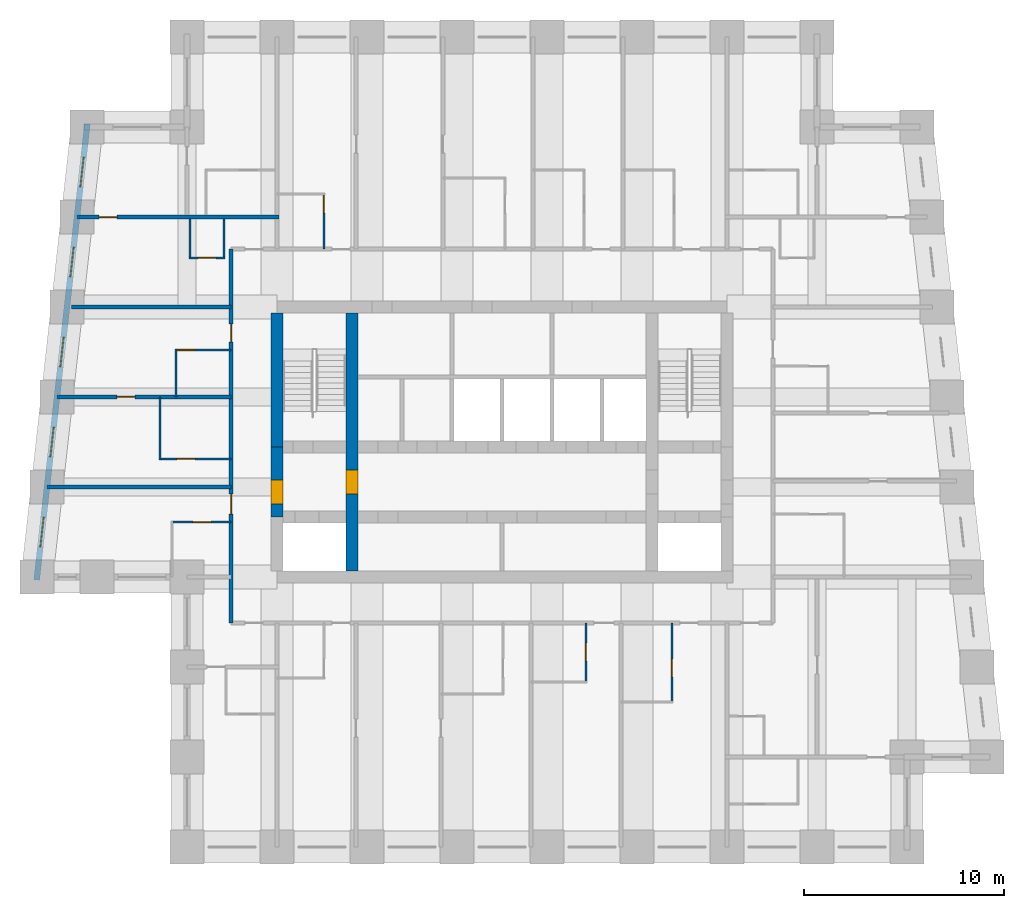
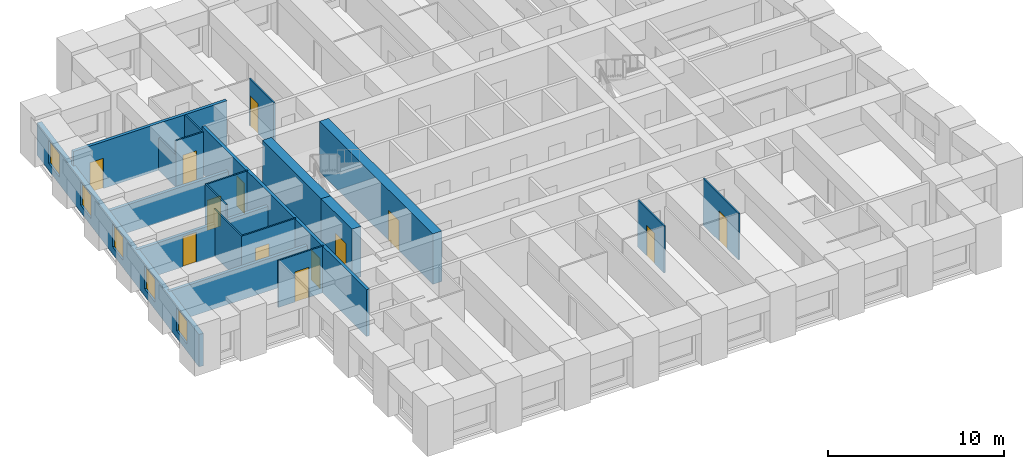
# One storey, part 3 of 8: 20 walls, 13 doors, 5 windows, 18 openings.
"""IFC4 building model written with IfcOpenShell, lengths in metres."""

from ifc_helpers import new_model, si_unit, direction, frame, frame_2d, origin, place, context, subcontext, project, spatial, rectangle, extrude, material, layer, layer_set, type_object, element, fill, save


model = new_model("IFC4")

# Units and contexts
model_context = context("Model", 3, precision=1e-05, world=origin(), true_north=direction((0.0, 1.0)))
body_context = subcontext(model_context, "Body", "Model", "MODEL_VIEW")
ifc_project = project(units=[si_unit("LENGTHUNIT", "METRE"), si_unit("AREAUNIT", "SQUARE_METRE"), si_unit("VOLUMEUNIT", "CUBIC_METRE"), si_unit("PLANEANGLEUNIT", "RADIAN"), si_unit("MASSUNIT", "GRAM", prefix="KILO")], contexts=[model_context])

# Site, building, storey
site_placement = place(None, origin())
site = spatial("IfcSite", under=ifc_project, at=site_placement, CompositionType="ELEMENT")
building_placement = place(site_placement, origin())
building = spatial("IfcBuilding", under=site, at=building_placement, Name="Kilele Tower Hotel", CompositionType="ELEMENT")
storey_placement = place(building_placement, frame((0.0, 0.0, 176.39990234375)))
storey = spatial("IfcBuildingStorey", under=building, at=storey_placement, Name="L45", CompositionType="ELEMENT", Elevation=176.39990234375)

# Wall, opening, door
ifc_material_1 = material(Name="Moisture-resistant board")
ifc_layer_1 = layer(ifc_material_1, 0.10009765625)
ifc_layer_set_1 = layer_set([ifc_layer_1], Name="Moisture-resistant board")
wall_type_1 = type_object("IfcWallType", Name="Bathroom partition 100", PredefinedType="PLUMBINGWALL", material=ifc_layer_set_1)
wall_1_placement = place(storey_placement, frame((28.949951171875, 11.199951171875, 0.0), z_axis=(0.0, 0.0, 1.0), x_axis=(0.0, -1.0, 0.0)))
wall_1 = element("IfcWall", 1, at=wall_1_placement, inside=storey, type_object=wall_type_1, Name="Bathroom partition 100 L45", PredefinedType="PLUMBINGWALL", context=body_context, shape_type="SweptSolid", body=[
    extrude(rectangle(XDim=3.0, YDim=0.10009765625, at=frame_2d((1.5, 0.0))), origin(), (0.0, 0.0, 1.0), 3.25),
])
opening_1_placement = place(wall_1_placement, frame((1.0, 0.0, 0.0)))
opening_1 = element("IfcOpeningElement", 2, at=opening_1_placement, cuts=wall_1, Name="Opening D2A", PredefinedType="OPENING", context=body_context, shape_type="SweptSolid", body=[
    extrude(rectangle(XDim=0.89990234375, YDim=2.10009765625, at=frame_2d((0.449951171875, 1.050048828125))), frame((0.0, 0.06005859375, 0.0), z_axis=(0.0, -1.0, 0.0), x_axis=(1.0, 0.0, 0.0)), (0.0, 0.0, 1.0), 0.1201171875),
])
ifc_material_2 = material(Name="Timber door leaf in hardwood frame", Category="wood")
door_type_1 = type_object("IfcDoorType", Name="Bathroom door 900", OperationType="SINGLE_SWING_LEFT", PredefinedType="DOOR", material=ifc_material_2)
door_1_placement = place(opening_1_placement, origin())
door_1 = element("IfcDoor", 3, at=door_1_placement, inside=storey, type_object=door_type_1, Name="Bathroom door 4504B", OperationType="SINGLE_SWING_LEFT", OverallHeight=2.10009765625, OverallWidth=0.89990234375, PredefinedType="DOOR", context=body_context, shape_type="SweptSolid", body=[
    extrude(rectangle(XDim=0.89990234375, YDim=2.10009765625, at=frame_2d((0.449951171875, 1.050048828125))), frame((0.0, 0.02490234375, 0.0), z_axis=(0.0, -1.0, 0.0), x_axis=(1.0, 0.0, 0.0)), (0.0, 0.0, 1.0), 0.050048828125),
])
fill(opening_1, door_1)

wall_2_placement = place(storey_placement, frame((33.25, 11.199951171875, 0.0), z_axis=(0.0, 0.0, 1.0), x_axis=(0.0, -1.0, 0.0)))
wall_2 = element("IfcWall", 4, at=wall_2_placement, inside=storey, type_object=wall_type_1, Name="Bathroom partition 100 L45", PredefinedType="PLUMBINGWALL", context=body_context, shape_type="SweptSolid", body=[
    extrude(rectangle(XDim=4.0, YDim=0.10009765625, at=frame_2d((2.0, 0.0))), origin(), (0.0, 0.0, 1.0), 3.25),
])
opening_2_placement = place(wall_2_placement, frame((1.800048828125, 0.0, 0.0)))
opening_2 = element("IfcOpeningElement", 5, at=opening_2_placement, cuts=wall_2, Name="Opening D2A", PredefinedType="OPENING", context=body_context, shape_type="SweptSolid", body=[
    extrude(rectangle(XDim=0.89990234375, YDim=2.10009765625, at=frame_2d((0.449951171875, 1.050048828125))), frame((0.0, 0.06005859375, 0.0), z_axis=(0.0, -1.0, 0.0), x_axis=(1.0, 0.0, 0.0)), (0.0, 0.0, 1.0), 0.1201171875),
])
door_2_placement = place(opening_2_placement, origin())
door_2 = element("IfcDoor", 6, at=door_2_placement, inside=storey, type_object=door_type_1, Name="Bathroom door 4505B", OperationType="SINGLE_SWING_RIGHT", OverallHeight=2.10009765625, OverallWidth=0.89990234375, PredefinedType="DOOR", context=body_context, shape_type="SweptSolid", body=[
    extrude(rectangle(XDim=0.89990234375, YDim=2.10009765625, at=frame_2d((0.449951171875, 1.050048828125))), frame((0.0, 0.02490234375, 0.0), z_axis=(0.0, -1.0, 0.0), x_axis=(1.0, 0.0, 0.0)), (0.0, 0.0, 1.0), 0.050048828125),
])
fill(opening_2, door_2)

wall_3_placement = place(storey_placement, frame((15.85009765625, 29.89990234375, 0.0), z_axis=(0.0, 0.0, 1.0), x_axis=(0.0, 1.0, 0.0)))
wall_3 = element("IfcWall", 7, at=wall_3_placement, inside=storey, type_object=wall_type_1, Name="Bathroom partition 100 L45", PredefinedType="PLUMBINGWALL", context=body_context, shape_type="SweptSolid", body=[
    extrude(rectangle(XDim=2.800048828125, YDim=0.10009765625, at=frame_2d((1.39990234375, 0.0))), origin(), (0.0, 0.0, 1.0), 3.25),
])
opening_3_placement = place(wall_3_placement, frame((2.699951171875, 0.0, 0.0), z_axis=(0.0, 0.0, 1.0), x_axis=(-1.0, 0.0, 0.0)))
opening_3 = element("IfcOpeningElement", 8, at=opening_3_placement, cuts=wall_3, Name="Opening D2A", PredefinedType="OPENING", context=body_context, shape_type="SweptSolid", body=[
    extrude(rectangle(XDim=0.89990234375, YDim=2.10009765625, at=frame_2d((0.449951171875, 1.050048828125))), frame((0.0, 0.06005859375, 0.0), z_axis=(0.0, -1.0, 0.0), x_axis=(1.0, 0.0, 0.0)), (0.0, 0.0, 1.0), 0.1201171875),
])
door_3_placement = place(opening_3_placement, origin())
door_3 = element("IfcDoor", 9, at=door_3_placement, inside=storey, type_object=door_type_1, Name="Bathroom door 4509B", OperationType="SINGLE_SWING_LEFT", OverallHeight=2.10009765625, OverallWidth=0.89990234375, PredefinedType="DOOR", context=body_context, shape_type="SweptSolid", body=[
    extrude(rectangle(XDim=0.89990234375, YDim=2.10009765625, at=frame_2d((0.449951171875, 1.050048828125))), frame((0.0, 0.02490234375, 0.0), z_axis=(0.0, -1.0, 0.0), x_axis=(1.0, 0.0, 0.0)), (0.0, 0.0, 1.0), 0.050048828125),
])
fill(opening_3, door_3)

wall_4_placement = place(storey_placement, frame((11.199951171875, 16.25, 0.0), z_axis=(0.0, 0.0, 1.0), x_axis=(-1.0, 0.0, 0.0)))
wall_4 = element("IfcWall", 10, at=wall_4_placement, inside=storey, type_object=wall_type_1, Name="Bathroom partition 100 L45", PredefinedType="PLUMBINGWALL", context=body_context, shape_type="SweptSolid", body=[
    extrude(rectangle(XDim=3.0, YDim=0.10009765625, at=frame_2d((1.5, 0.0))), origin(), (0.0, 0.0, 1.0), 3.25),
])
opening_4_placement = place(wall_4_placement, frame((1.89990234375, 0.0, 0.0), z_axis=(0.0, 0.0, 1.0), x_axis=(-1.0, 0.0, 0.0)))
opening_4 = element("IfcOpeningElement", 11, at=opening_4_placement, cuts=wall_4, Name="Opening D2A", PredefinedType="OPENING", context=body_context, shape_type="SweptSolid", body=[
    extrude(rectangle(XDim=0.89990234375, YDim=2.10009765625, at=frame_2d((0.449951171875, 1.050048828125))), frame((0.0, 0.06005859375, 0.0), z_axis=(0.0, -1.0, 0.0), x_axis=(1.0, 0.0, 0.0)), (0.0, 0.0, 1.0), 0.1201171875),
])
door_4_placement = place(opening_4_placement, origin())
door_4 = element("IfcDoor", 12, at=door_4_placement, inside=storey, type_object=door_type_1, Name="Bathroom door 4514B", OperationType="SINGLE_SWING_RIGHT", OverallHeight=2.10009765625, OverallWidth=0.89990234375, PredefinedType="DOOR", context=body_context, shape_type="SweptSolid", body=[
    extrude(rectangle(XDim=0.89990234375, YDim=2.10009765625, at=frame_2d((0.449951171875, 1.050048828125))), frame((0.0, 0.02490234375, 0.0), z_axis=(0.0, -1.0, 0.0), x_axis=(1.0, 0.0, 0.0)), (0.0, 0.0, 1.0), 0.050048828125),
])
fill(opening_4, door_4)

# Wall
wall_5_placement = place(storey_placement, frame((7.64990234375, 19.35009765625, 0.0), z_axis=(0.0, 0.0, 1.0), x_axis=(0.0, 1.0, 0.0)))
element("IfcWall", 13, at=wall_5_placement, inside=storey, type_object=wall_type_1, Name="Bathroom partition 100 L45", PredefinedType="PLUMBINGWALL", context=body_context, shape_type="SweptSolid", body=[
    extrude(rectangle(XDim=3.14990234375, YDim=0.10009765625, at=frame_2d((1.574951171875, 0.0))), origin(), (0.0, 0.0, 1.0), 3.25),
])

# Wall, opening, door
wall_6_placement = place(storey_placement, frame((11.199951171875, 19.39990234375, 0.0), z_axis=(0.0, 0.0, 1.0), x_axis=(-1.0, 0.0, 0.0)))
wall_6 = element("IfcWall", 14, at=wall_6_placement, inside=storey, type_object=wall_type_1, Name="Bathroom partition 100 L45", PredefinedType="PLUMBINGWALL", context=body_context, shape_type="SweptSolid", body=[
    extrude(rectangle(XDim=3.599853515625, YDim=0.10009765625, at=frame_2d((1.7998046875, 0.0))), origin(), (0.0, 0.0, 1.0), 3.25),
])
opening_5_placement = place(wall_6_placement, frame((1.800048828125, 0.0, 0.0)))
opening_5 = element("IfcOpeningElement", 15, at=opening_5_placement, cuts=wall_6, Name="Opening D2A", PredefinedType="OPENING", context=body_context, shape_type="SweptSolid", body=[
    extrude(rectangle(XDim=0.89990234375, YDim=2.10009765625, at=frame_2d((0.449951171875, 1.050048828125))), frame((0.0, 0.06005859375, 0.0), z_axis=(0.0, -1.0, 0.0), x_axis=(1.0, 0.0, 0.0)), (0.0, 0.0, 1.0), 0.1201171875),
])
door_5_placement = place(opening_5_placement, origin())
door_5 = element("IfcDoor", 16, at=door_5_placement, inside=storey, type_object=door_type_1, Name="Bathroom door 4515B", OperationType="SINGLE_SWING_RIGHT", OverallHeight=2.10009765625, OverallWidth=0.89990234375, PredefinedType="DOOR", context=body_context, shape_type="SweptSolid", body=[
    extrude(rectangle(XDim=0.89990234375, YDim=2.10009765625, at=frame_2d((0.449951171875, 1.050048828125))), frame((0.0, 0.02490234375, 0.0), z_axis=(0.0, -1.0, 0.0), x_axis=(1.0, 0.0, 0.0)), (0.0, 0.0, 1.0), 0.050048828125),
])
fill(opening_5, door_5)

# Wall
wall_7_placement = place(storey_placement, frame((8.449951171875, 22.5, 0.0), z_axis=(0.0, 0.0, 1.0), x_axis=(0.0, 1.0, 0.0)))
element("IfcWall", 17, at=wall_7_placement, inside=storey, type_object=wall_type_1, Name="Bathroom partition 100 L45", PredefinedType="PLUMBINGWALL", context=body_context, shape_type="SweptSolid", body=[
    extrude(rectangle(XDim=2.39990234375, YDim=0.10009765625, at=frame_2d((1.199951171875, 0.0))), origin(), (0.0, 0.0, 1.0), 3.25),
])

# Wall, opening, door
wall_8_placement = place(storey_placement, frame((11.199951171875, 24.85009765625, 0.0), z_axis=(0.0, 0.0, 1.0), x_axis=(-1.0, 0.0, 0.0)))
wall_8 = element("IfcWall", 18, at=wall_8_placement, inside=storey, type_object=wall_type_1, Name="Bathroom partition 100 L45", PredefinedType="PLUMBINGWALL", context=body_context, shape_type="SweptSolid", body=[
    extrude(rectangle(XDim=2.800048828125, YDim=0.10009765625, at=frame_2d((1.39990234375, 0.0))), origin(), (0.0, 0.0, 1.0), 3.25),
])
opening_6_placement = place(wall_8_placement, frame((2.699951171875, 0.0, 0.0), z_axis=(0.0, 0.0, 1.0), x_axis=(-1.0, 0.0, 0.0)))
opening_6 = element("IfcOpeningElement", 19, at=opening_6_placement, cuts=wall_8, Name="Opening D2A", PredefinedType="OPENING", context=body_context, shape_type="SweptSolid", body=[
    extrude(rectangle(XDim=0.89990234375, YDim=2.10009765625, at=frame_2d((0.449951171875, 1.050048828125))), frame((0.0, 0.06005859375, 0.0), z_axis=(0.0, -1.0, 0.0), x_axis=(1.0, 0.0, 0.0)), (0.0, 0.0, 1.0), 0.1201171875),
])
door_6_placement = place(opening_6_placement, origin())
door_6 = element("IfcDoor", 20, at=door_6_placement, inside=storey, type_object=door_type_1, Name="Bathroom door 4516B", OperationType="SINGLE_SWING_LEFT", OverallHeight=2.10009765625, OverallWidth=0.89990234375, PredefinedType="DOOR", context=body_context, shape_type="SweptSolid", body=[
    extrude(rectangle(XDim=0.89990234375, YDim=2.10009765625, at=frame_2d((0.449951171875, 1.050048828125))), frame((0.0, 0.02490234375, 0.0), z_axis=(0.0, -1.0, 0.0), x_axis=(1.0, 0.0, 0.0)), (0.0, 0.0, 1.0), 0.050048828125),
])
fill(opening_6, door_6)

# Walls
wall_9_placement = place(storey_placement, frame((9.14990234375, 31.39990234375, 0.0), z_axis=(0.0, 0.0, 1.0), x_axis=(0.0, -1.0, 0.0)))
element("IfcWall", 21, at=wall_9_placement, inside=storey, type_object=wall_type_1, Name="Bathroom partition 100 L45", PredefinedType="PLUMBINGWALL", context=body_context, shape_type="SweptSolid", body=[
    extrude(rectangle(XDim=2.0, YDim=0.10009765625, at=frame_2d((1.0, 0.0))), origin(), (0.0, 0.0, 1.0), 2.25),
])
wall_10_placement = place(storey_placement, frame((10.85009765625, 31.39990234375, 0.0), z_axis=(0.0, 0.0, 1.0), x_axis=(0.0, -1.0, 0.0)))
element("IfcWall", 22, at=wall_10_placement, inside=storey, type_object=wall_type_1, Name="Bathroom partition 100 L45", PredefinedType="PLUMBINGWALL", context=body_context, shape_type="SweptSolid", body=[
    extrude(rectangle(XDim=2.0, YDim=0.10009765625, at=frame_2d((1.0, 0.0))), origin(), (0.0, 0.0, 1.0), 3.25),
])

# Wall, opening, door
wall_11_placement = place(storey_placement, frame((10.89990234375, 29.449951171875, 0.0), z_axis=(0.0, 0.0, 1.0), x_axis=(-1.0, 0.0, 0.0)))
wall_11 = element("IfcWall", 23, at=wall_11_placement, inside=storey, type_object=wall_type_1, Name="Bathroom partition 100 L45", PredefinedType="PLUMBINGWALL", context=body_context, shape_type="SweptSolid", body=[
    extrude(rectangle(XDim=1.7998046875, YDim=0.10009765625, at=frame_2d((0.89990234375, 0.0))), origin(), (0.0, 0.0, 1.0), 3.25),
])
opening_7_placement = place(wall_11_placement, frame((0.449951171875, 0.0, 0.0)))
opening_7 = element("IfcOpeningElement", 24, at=opening_7_placement, cuts=wall_11, Name="Opening D2A", PredefinedType="OPENING", context=body_context, shape_type="SweptSolid", body=[
    extrude(rectangle(XDim=0.89990234375, YDim=2.10009765625, at=frame_2d((0.449951171875, 1.050048828125))), frame((0.0, 0.06005859375, 0.0), z_axis=(0.0, -1.0, 0.0), x_axis=(1.0, 0.0, 0.0)), (0.0, 0.0, 1.0), 0.1201171875),
])
door_7_placement = place(opening_7_placement, origin())
door_7 = element("IfcDoor", 25, at=door_7_placement, inside=storey, type_object=door_type_1, Name="Bathroom door 4525P", OperationType="SINGLE_SWING_LEFT", OverallHeight=2.10009765625, OverallWidth=0.89990234375, PredefinedType="DOOR", context=body_context, shape_type="SweptSolid", body=[
    extrude(rectangle(XDim=0.89990234375, YDim=2.10009765625, at=frame_2d((0.449951171875, 1.050048828125))), frame((0.0, 0.02490234375, 0.0), z_axis=(0.0, -1.0, 0.0), x_axis=(1.0, 0.0, 0.0)), (0.0, 0.0, 1.0), 0.050048828125),
])
fill(opening_7, door_7)

ifc_material_3 = material(Name="Concrete C70/85", Category="concrete")
ifc_layer_2 = layer(ifc_material_3, 0.60009765625)
ifc_layer_set_2 = layer_set([ifc_layer_2], Name="Concrete C70/85")
wall_type_2 = type_object("IfcWallType", Name="Core wall 600 C70/85", PredefinedType="SHEAR", material=ifc_layer_set_2)
wall_12_placement = place(storey_placement, frame((17.25, 13.800048828125, 0.0), z_axis=(0.0, 0.0, 1.0), x_axis=(0.0, 1.0, 0.0)))
wall_12 = element("IfcWall", 26, at=wall_12_placement, inside=storey, type_object=wall_type_2, Name="Core wall IW L45", PredefinedType="SHEAR", context=body_context, shape_type="SweptSolid", body=[
    extrude(rectangle(XDim=12.89990234375, YDim=0.60009765625, at=frame_2d((6.449951171875, 0.0))), origin(), (0.0, 0.0, 1.0), 3.5),
])
opening_8_placement = place(wall_12_placement, frame((3.85009765625, 0.0, 0.0)))
opening_8 = element("IfcOpeningElement", 27, at=opening_8_placement, cuts=wall_12, Name="Opening D4", PredefinedType="OPENING", context=body_context, shape_type="SweptSolid", body=[
    extrude(rectangle(XDim=1.199951171875, YDim=2.10009765625, at=frame_2d((0.60009765625, 1.050048828125))), frame((0.0, 0.31005859375, 0.0), z_axis=(0.0, -1.0, 0.0), x_axis=(1.0, 0.0, 0.0)), (0.0, 0.0, 1.0), 0.6201171875),
])
ifc_material_4 = material(Name="Timber door leaf in hardwood frame", Category="wood")
door_type_2 = type_object("IfcDoorType", Name="Firefighting lobby door 1200", OperationType="SINGLE_SWING_LEFT", PredefinedType="DOOR", material=ifc_material_4)
door_8_placement = place(opening_8_placement, origin())
door_8 = element("IfcDoor", 28, at=door_8_placement, inside=storey, type_object=door_type_2, Name="Lobby door L45", OperationType="SINGLE_SWING_LEFT", OverallHeight=2.10009765625, OverallWidth=1.199951171875, PredefinedType="DOOR", context=body_context, shape_type="SweptSolid", body=[
    extrude(rectangle(XDim=1.199951171875, YDim=2.10009765625, at=frame_2d((0.60009765625, 1.050048828125))), frame((0.0, 0.2998046875, 0.0), z_axis=(0.0, -1.0, 0.0), x_axis=(1.0, 0.0, 0.0)), (0.0, 0.0, 1.0), 0.599609375),
])
fill(opening_8, door_8)

# Wall
wall_13_placement = place(storey_placement, frame((13.5, 26.699951171875, 0.0), z_axis=(0.0, 0.0, 1.0), x_axis=(0.0, -1.0, 0.0)))
element("IfcWall", 29, at=wall_13_placement, inside=storey, type_object=wall_type_2, Name="Core wall W1 L45", PredefinedType="SHEAR", context=body_context, shape_type="SweptSolid", body=[
    extrude(rectangle(XDim=6.699951171875, YDim=0.60009765625, at=frame_2d((3.35009765625, 0.0))), origin(), (0.0, 0.0, 1.0), 3.5),
])

# Wall, opening, door
wall_14_placement = place(storey_placement, frame((13.5, 20.0, 0.0), z_axis=(0.0, 0.0, 1.0), x_axis=(0.0, -1.0, 0.0)))
wall_14 = element("IfcWall", 30, at=wall_14_placement, inside=storey, type_object=wall_type_2, Name="Core wall W2 L45", PredefinedType="SHEAR", context=body_context, shape_type="SweptSolid", body=[
    extrude(rectangle(XDim=3.5, YDim=0.60009765625, at=frame_2d((1.75, 0.0))), origin(), (0.0, 0.0, 1.0), 3.5),
])
opening_9_placement = place(wall_14_placement, frame((1.64990234375, 0.0, 0.0)))
opening_9 = element("IfcOpeningElement", 31, at=opening_9_placement, cuts=wall_14, Name="Opening D4", PredefinedType="OPENING", context=body_context, shape_type="SweptSolid", body=[
    extrude(rectangle(XDim=1.199951171875, YDim=2.10009765625, at=frame_2d((0.60009765625, 1.050048828125))), frame((0.0, 0.31005859375, 0.0), z_axis=(0.0, -1.0, 0.0), x_axis=(1.0, 0.0, 0.0)), (0.0, 0.0, 1.0), 0.6201171875),
])
door_9_placement = place(opening_9_placement, origin())
door_9 = element("IfcDoor", 32, at=door_9_placement, inside=storey, type_object=door_type_2, Name="Lobby door L45", OperationType="SINGLE_SWING_RIGHT", OverallHeight=2.10009765625, OverallWidth=1.199951171875, PredefinedType="DOOR", context=body_context, shape_type="SweptSolid", body=[
    extrude(rectangle(XDim=1.199951171875, YDim=2.10009765625, at=frame_2d((0.60009765625, 1.050048828125))), frame((0.0, 0.2998046875, 0.0), z_axis=(0.0, -1.0, 0.0), x_axis=(1.0, 0.0, 0.0)), (0.0, 0.0, 1.0), 0.599609375),
])
fill(opening_9, door_9)

# Wall, openings, doors
ifc_material_5 = material(Name="Blockwork, plastered both sides", Category="masonry")
ifc_layer_3 = layer(ifc_material_5, 0.199951171875)
ifc_layer_set_3 = layer_set([ifc_layer_3], Name="Blockwork, plastered both sides")
wall_type_3 = type_object("IfcWallType", Name="Corridor wall 200", PredefinedType="PARTITIONING", material=ifc_layer_set_3)
wall_15_placement = place(storey_placement, frame((11.199951171875, 11.199951171875, 0.0), z_axis=(0.0, 0.0, 1.0), x_axis=(0.0, 1.0, 0.0)))
wall_15 = element("IfcWall", 33, at=wall_15_placement, inside=storey, type_object=wall_type_3, Name="Corridor wall 200 L45", PredefinedType="PARTITIONING", context=body_context, shape_type="SweptSolid", body=[
    extrude(rectangle(XDim=18.699951171875, YDim=0.199951171875, at=frame_2d((9.35009765625, 0.0))), origin(), (0.0, 0.0, 1.0), 3.25),
])
opening_10_placement = place(wall_15_placement, frame((5.449951171875, 0.0, 0.0)))
opening_10 = element("IfcOpeningElement", 34, at=opening_10_placement, cuts=wall_15, Name="Opening D8", PredefinedType="OPENING", context=body_context, shape_type="SweptSolid", body=[
    extrude(rectangle(XDim=1.0, YDim=2.10009765625, at=frame_2d((0.5, 1.050048828125))), frame((0.0, 0.10986328125, 0.0), z_axis=(0.0, -1.0, 0.0), x_axis=(1.0, 0.0, 0.0)), (0.0, 0.0, 1.0), 0.219970703125),
])
opening_11_placement = place(wall_15_placement, frame((14.050048828125, 0.0, 0.0)))
opening_11 = element("IfcOpeningElement", 35, at=opening_11_placement, cuts=wall_15, Name="Opening D1", PredefinedType="OPENING", context=body_context, shape_type="SweptSolid", body=[
    extrude(rectangle(XDim=0.89990234375, YDim=2.10009765625, at=frame_2d((0.449951171875, 1.050048828125))), frame((0.0, 0.10986328125, 0.0), z_axis=(0.0, -1.0, 0.0), x_axis=(1.0, 0.0, 0.0)), (0.0, 0.0, 1.0), 0.219970703125),
])
ifc_material_6 = material(Name="Timber door leaf in hardwood frame", Category="wood")
door_type_3 = type_object("IfcDoorType", Name="Door 1000", OperationType="SINGLE_SWING_LEFT", PredefinedType="DOOR", material=ifc_material_6)
door_10_placement = place(opening_10_placement, origin())
door_10 = element("IfcDoor", 36, at=door_10_placement, inside=storey, type_object=door_type_3, Name="Room entrance 4514", OperationType="SINGLE_SWING_LEFT", OverallHeight=2.10009765625, OverallWidth=1.0, PredefinedType="DOOR", context=body_context, shape_type="SweptSolid", body=[
    extrude(rectangle(XDim=1.0, YDim=2.10009765625, at=frame_2d((0.5, 1.050048828125))), frame((0.0, 0.02490234375, 0.0), z_axis=(0.0, -1.0, 0.0), x_axis=(1.0, 0.0, 0.0)), (0.0, 0.0, 1.0), 0.050048828125),
])
fill(opening_10, door_10)
ifc_material_7 = material(Name="Timber door leaf in hardwood frame", Category="wood")
door_type_4 = type_object("IfcDoorType", Name="Guest room entrance door 900", OperationType="SINGLE_SWING_LEFT", PredefinedType="DOOR", material=ifc_material_7)
door_11_placement = place(opening_11_placement, origin())
door_11 = element("IfcDoor", 37, at=door_11_placement, inside=storey, type_object=door_type_4, Name="Room entrance 4516", OperationType="SINGLE_SWING_LEFT", OverallHeight=2.10009765625, OverallWidth=0.89990234375, PredefinedType="DOOR", context=body_context, shape_type="SweptSolid", body=[
    extrude(rectangle(XDim=0.89990234375, YDim=2.10009765625, at=frame_2d((0.449951171875, 1.050048828125))), frame((0.0, 0.02490234375, 0.0), z_axis=(0.0, -1.0, 0.0), x_axis=(1.0, 0.0, 0.0)), (0.0, 0.0, 1.0), 0.050048828125),
])
fill(opening_11, door_11)

# Wall
ifc_material_8 = material(Name="Blockwork, plastered both sides", Category="masonry")
ifc_layer_4 = layer(ifc_material_8, 0.199951171875)
ifc_layer_set_4 = layer_set([ifc_layer_4], Name="Blockwork, plastered both sides")
wall_type_4 = type_object("IfcWallType", Name="Party wall 200", PredefinedType="PARTITIONING", material=ifc_layer_set_4)
wall_16_placement = place(storey_placement, frame((11.199951171875, 18.0, 0.0), z_axis=(0.0, 0.0, 1.0), x_axis=(-1.0, 0.0, 0.0)))
element("IfcWall", 38, at=wall_16_placement, inside=storey, type_object=wall_type_4, Name="Party wall 200 L45", PredefinedType="PARTITIONING", context=body_context, shape_type="SweptSolid", body=[
    extrude(rectangle(XDim=9.198974609375, YDim=0.199951171875, at=frame_2d((4.599609375, 0.0))), origin(), (0.0, 0.0, 1.0), 2.25),
])

# Wall, opening, door
wall_17_placement = place(storey_placement, frame((11.199951171875, 22.5, 0.0), z_axis=(0.0, 0.0, 1.0), x_axis=(-1.0, 0.0, 0.0)))
wall_17 = element("IfcWall", 39, at=wall_17_placement, inside=storey, type_object=wall_type_4, Name="Party wall 200 L45", PredefinedType="PARTITIONING", context=body_context, shape_type="SweptSolid", body=[
    extrude(rectangle(XDim=8.698974609375, YDim=0.199951171875, at=frame_2d((4.349609375, 0.0))), origin(), (0.0, 0.0, 1.0), 2.25),
])
opening_12_placement = place(wall_17_placement, frame((4.800048828125, 0.0, 0.0)))
opening_12 = element("IfcOpeningElement", 40, at=opening_12_placement, cuts=wall_17, Name="Opening D3", PredefinedType="OPENING", context=body_context, shape_type="SweptSolid", body=[
    extrude(rectangle(XDim=0.89990234375, YDim=2.10009765625, at=frame_2d((0.449951171875, 1.050048828125))), frame((0.0, 0.10986328125, 0.0), z_axis=(0.0, -1.0, 0.0), x_axis=(1.0, 0.0, 0.0)), (0.0, 0.0, 1.0), 0.219970703125),
])
ifc_material_9 = material(Name="Timber door leaf in hardwood frame", Category="wood")
door_type_5 = type_object("IfcDoorType", Name="Suite internal door 900", OperationType="SINGLE_SWING_LEFT", PredefinedType="DOOR", material=ifc_material_9)
door_12_placement = place(opening_12_placement, origin())
door_12 = element("IfcDoor", 41, at=door_12_placement, inside=storey, type_object=door_type_5, Name="Suite door 4516", OperationType="SINGLE_SWING_LEFT", OverallHeight=2.10009765625, OverallWidth=0.89990234375, PredefinedType="DOOR", context=body_context, shape_type="SweptSolid", body=[
    extrude(rectangle(XDim=0.89990234375, YDim=2.10009765625, at=frame_2d((0.449951171875, 1.050048828125))), frame((0.0, 0.02490234375, 0.0), z_axis=(0.0, -1.0, 0.0), x_axis=(1.0, 0.0, 0.0)), (0.0, 0.0, 1.0), 0.050048828125),
])
fill(opening_12, door_12)

# Wall
wall_18_placement = place(storey_placement, frame((11.199951171875, 27.0, 0.0), z_axis=(0.0, 0.0, 1.0), x_axis=(-1.0, 0.0, 0.0)))
element("IfcWall", 42, at=wall_18_placement, inside=storey, type_object=wall_type_4, Name="Party wall 200 L45", PredefinedType="PARTITIONING", context=body_context, shape_type="SweptSolid", body=[
    extrude(rectangle(XDim=7.976806640625, YDim=0.199951171875, at=frame_2d((3.98828125, 0.0))), origin(), (0.0, 0.0, 1.0), 1.9501953125),
])

# Wall, opening, door
wall_19_placement = place(storey_placement, frame((13.60009765625, 31.5, 0.0), z_axis=(0.0, 0.0, 1.0), x_axis=(-1.0, 0.0, 0.0)))
wall_19 = element("IfcWall", 43, at=wall_19_placement, inside=storey, type_object=wall_type_4, Name="Party wall 200 L45", PredefinedType="PARTITIONING", context=body_context, shape_type="SweptSolid", body=[
    extrude(rectangle(XDim=10.09912109375, YDim=0.199951171875, at=frame_2d((5.049560546875, 0.0))), origin(), (0.0, 0.0, 1.0), 3.25),
])
opening_13_placement = place(wall_19_placement, frame((8.9990234375, 0.0, 0.0), z_axis=(0.0, 0.0, 1.0), x_axis=(-1.0, 0.0, 0.0)))
opening_13 = element("IfcOpeningElement", 44, at=opening_13_placement, cuts=wall_19, Name="Opening D3", PredefinedType="OPENING", context=body_context, shape_type="SweptSolid", body=[
    extrude(rectangle(XDim=0.89990234375, YDim=2.10009765625, at=frame_2d((0.449951171875, 1.050048828125))), frame((0.0, 0.10986328125, 0.0), z_axis=(0.0, -1.0, 0.0), x_axis=(1.0, 0.0, 0.0)), (0.0, 0.0, 1.0), 0.219970703125),
])
door_13_placement = place(opening_13_placement, origin())
door_13 = element("IfcDoor", 45, at=door_13_placement, inside=storey, type_object=door_type_5, Name="Suite door 4526", OperationType="SINGLE_SWING_LEFT", OverallHeight=2.10009765625, OverallWidth=0.89990234375, PredefinedType="DOOR", context=body_context, shape_type="SweptSolid", body=[
    extrude(rectangle(XDim=0.89990234375, YDim=2.10009765625, at=frame_2d((0.449951171875, 1.050048828125))), frame((0.0, 0.02490234375, 0.0), z_axis=(0.0, -1.0, 0.0), x_axis=(1.0, 0.0, 0.0)), (0.0, 0.0, 1.0), 0.050048828125),
])
fill(opening_13, door_13)

# Wall, openings, windows
ifc_material_10 = material(Name="Concrete C40/50 precast", Category="concrete")
ifc_layer_5 = layer(ifc_material_10, 0.260009765625, Name="Precast backing", Category="LoadBearing")
ifc_material_11 = material(Name="Reconstituted stone finish", Category="masonry")
ifc_layer_6 = layer(ifc_material_11, 0.0400390625, Name="Face mix", Category="Finish")
ifc_layer_set_5 = layer_set([ifc_layer_5, ifc_layer_6], Name="Precast concrete C40/50, reconstituted stone finish")
wall_type_5 = type_object("IfcWallType", Name="Precast stone facade wall 300", PredefinedType="STANDARD", material=ifc_layer_set_5)
wall_20_placement = place(storey_placement, frame((4.0166015625, 36.149169921875, 0.0), z_axis=(0.0, 0.0, 1.0), x_axis=(-0.110433862387, -0.993883475081, 0.0)))
wall_20 = element("IfcWall", 46, at=wall_20_placement, inside=storey, type_object=wall_type_5, Name="Facade wall L45 edge 12", PredefinedType="STANDARD", context=body_context, shape_type="SweptSolid", body=[
    extrude(rectangle(XDim=22.938720703125, YDim=0.300048828125, at=frame_2d((11.46923828125, 0.0))), origin(), (0.0, 0.0, 1.0), 2.25),
])
opening_14_placement = place(wall_20_placement, frame((1.6640625, 0.0, 0.5)))
opening_14 = element("IfcOpeningElement", 47, at=opening_14_placement, cuts=wall_20, Name="Opening W3", PredefinedType="OPENING", context=body_context, shape_type="SweptSolid", body=[
    extrude(rectangle(XDim=1.5, YDim=1.60009765625, at=frame_2d((0.75, 0.800048828125))), frame((0.0, 0.159912109375, 0.0), z_axis=(0.0, -1.0, 0.0), x_axis=(1.0, 0.0, 0.0)), (0.0, 0.0, 1.0), 0.320068359375),
])
opening_15_placement = place(wall_20_placement, frame((6.19189453125, 0.0, 0.5)))
opening_15 = element("IfcOpeningElement", 48, at=opening_15_placement, cuts=wall_20, Name="Opening W3", PredefinedType="OPENING", context=body_context, shape_type="SweptSolid", body=[
    extrude(rectangle(XDim=1.5, YDim=1.60009765625, at=frame_2d((0.75, 0.800048828125))), frame((0.0, 0.159912109375, 0.0), z_axis=(0.0, -1.0, 0.0), x_axis=(1.0, 0.0, 0.0)), (0.0, 0.0, 1.0), 0.320068359375),
])
opening_16_placement = place(wall_20_placement, frame((10.718994140625, 0.0, 0.5)))
opening_16 = element("IfcOpeningElement", 49, at=opening_16_placement, cuts=wall_20, Name="Opening W3", PredefinedType="OPENING", context=body_context, shape_type="SweptSolid", body=[
    extrude(rectangle(XDim=1.5, YDim=1.60009765625, at=frame_2d((0.75, 0.800048828125))), frame((0.0, 0.159912109375, 0.0), z_axis=(0.0, -1.0, 0.0), x_axis=(1.0, 0.0, 0.0)), (0.0, 0.0, 1.0), 0.320068359375),
])
opening_17_placement = place(wall_20_placement, frame((15.2470703125, 0.0, 0.5)))
opening_17 = element("IfcOpeningElement", 50, at=opening_17_placement, cuts=wall_20, Name="Opening W3", PredefinedType="OPENING", context=body_context, shape_type="SweptSolid", body=[
    extrude(rectangle(XDim=1.5, YDim=1.60009765625, at=frame_2d((0.75, 0.800048828125))), frame((0.0, 0.159912109375, 0.0), z_axis=(0.0, -1.0, 0.0), x_axis=(1.0, 0.0, 0.0)), (0.0, 0.0, 1.0), 0.320068359375),
])
opening_18_placement = place(wall_20_placement, frame((19.77490234375, 0.0, 0.5)))
opening_18 = element("IfcOpeningElement", 51, at=opening_18_placement, cuts=wall_20, Name="Opening W3", PredefinedType="OPENING", context=body_context, shape_type="SweptSolid", body=[
    extrude(rectangle(XDim=1.5, YDim=1.60009765625, at=frame_2d((0.75, 0.800048828125))), frame((0.0, 0.159912109375, 0.0), z_axis=(0.0, -1.0, 0.0), x_axis=(1.0, 0.0, 0.0)), (0.0, 0.0, 1.0), 0.320068359375),
])
ifc_material_12 = material(Name="Aluminium frame, clear double glazing", Category="aluminium")
window_type = type_object("IfcWindowType", Name="Window W3 1500 x 1600", PartitioningType="SINGLE_PANEL", PredefinedType="WINDOW", material=ifc_material_12)
window_1_placement = place(opening_14_placement, origin())
window_1 = element("IfcWindow", 52, at=window_1_placement, inside=storey, type_object=window_type, Name="Window L45", OverallHeight=1.60009765625, OverallWidth=1.5, PartitioningType="SINGLE_PANEL", PredefinedType="WINDOW", context=body_context, shape_type="SweptSolid", body=[
    extrude(rectangle(XDim=1.5, YDim=1.60009765625, at=frame_2d((0.75, 0.800048828125))), frame((0.0, 0.030029296875, 0.0), z_axis=(0.0, -1.0, 0.0), x_axis=(1.0, 0.0, 0.0)), (0.0, 0.0, 1.0), 0.06005859375),
])
fill(opening_14, window_1)
window_2_placement = place(opening_15_placement, origin())
window_2 = element("IfcWindow", 53, at=window_2_placement, inside=storey, type_object=window_type, Name="Window L45", OverallHeight=1.60009765625, OverallWidth=1.5, PartitioningType="SINGLE_PANEL", PredefinedType="WINDOW", context=body_context, shape_type="SweptSolid", body=[
    extrude(rectangle(XDim=1.5, YDim=1.60009765625, at=frame_2d((0.75, 0.800048828125))), frame((0.0, 0.030029296875, 0.0), z_axis=(0.0, -1.0, 0.0), x_axis=(1.0, 0.0, 0.0)), (0.0, 0.0, 1.0), 0.06005859375),
])
fill(opening_15, window_2)
window_3_placement = place(opening_16_placement, origin())
window_3 = element("IfcWindow", 54, at=window_3_placement, inside=storey, type_object=window_type, Name="Window L45", OverallHeight=1.60009765625, OverallWidth=1.5, PartitioningType="SINGLE_PANEL", PredefinedType="WINDOW", context=body_context, shape_type="SweptSolid", body=[
    extrude(rectangle(XDim=1.5, YDim=1.60009765625, at=frame_2d((0.75, 0.800048828125))), frame((0.0, 0.030029296875, 0.0), z_axis=(0.0, -1.0, 0.0), x_axis=(1.0, 0.0, 0.0)), (0.0, 0.0, 1.0), 0.06005859375),
])
fill(opening_16, window_3)
window_4_placement = place(opening_17_placement, origin())
window_4 = element("IfcWindow", 55, at=window_4_placement, inside=storey, type_object=window_type, Name="Window L45", OverallHeight=1.60009765625, OverallWidth=1.5, PartitioningType="SINGLE_PANEL", PredefinedType="WINDOW", context=body_context, shape_type="SweptSolid", body=[
    extrude(rectangle(XDim=1.5, YDim=1.60009765625, at=frame_2d((0.75, 0.800048828125))), frame((0.0, 0.030029296875, 0.0), z_axis=(0.0, -1.0, 0.0), x_axis=(1.0, 0.0, 0.0)), (0.0, 0.0, 1.0), 0.06005859375),
])
fill(opening_17, window_4)
window_5_placement = place(opening_18_placement, origin())
window_5 = element("IfcWindow", 56, at=window_5_placement, inside=storey, type_object=window_type, Name="Window L45", OverallHeight=1.60009765625, OverallWidth=1.5, PartitioningType="SINGLE_PANEL", PredefinedType="WINDOW", context=body_context, shape_type="SweptSolid", body=[
    extrude(rectangle(XDim=1.5, YDim=1.60009765625, at=frame_2d((0.75, 0.800048828125))), frame((0.0, 0.030029296875, 0.0), z_axis=(0.0, -1.0, 0.0), x_axis=(1.0, 0.0, 0.0)), (0.0, 0.0, 1.0), 0.06005859375),
])
fill(opening_18, window_5)

save(model, "model.ifc")
